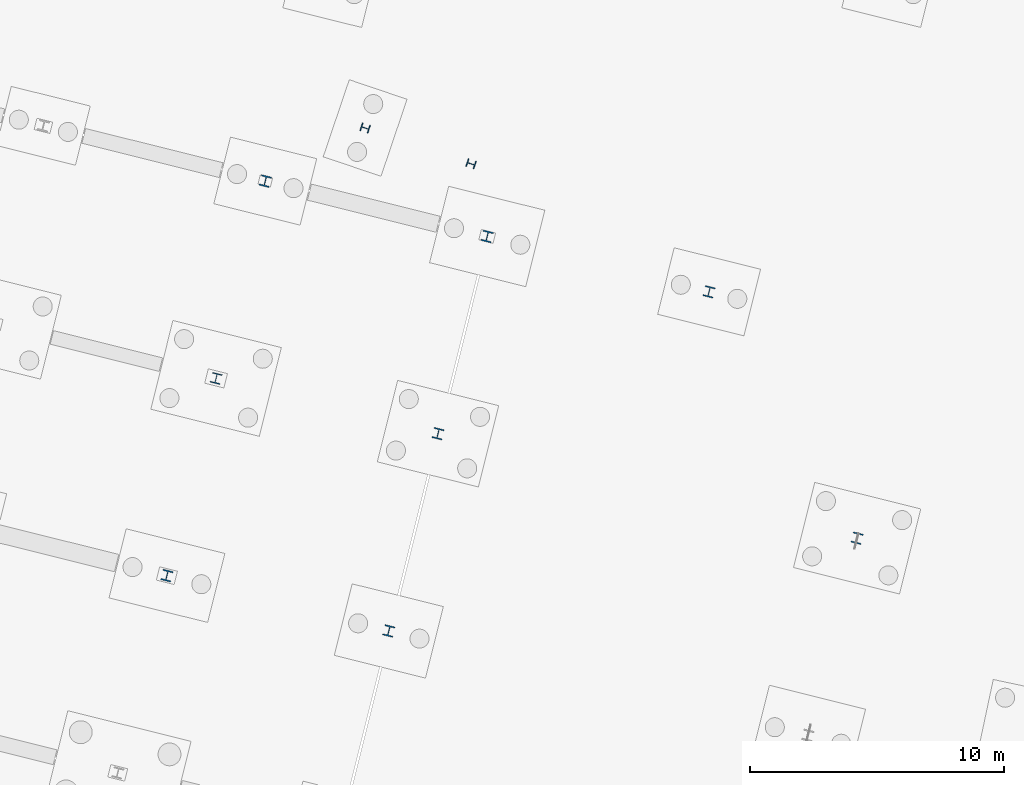
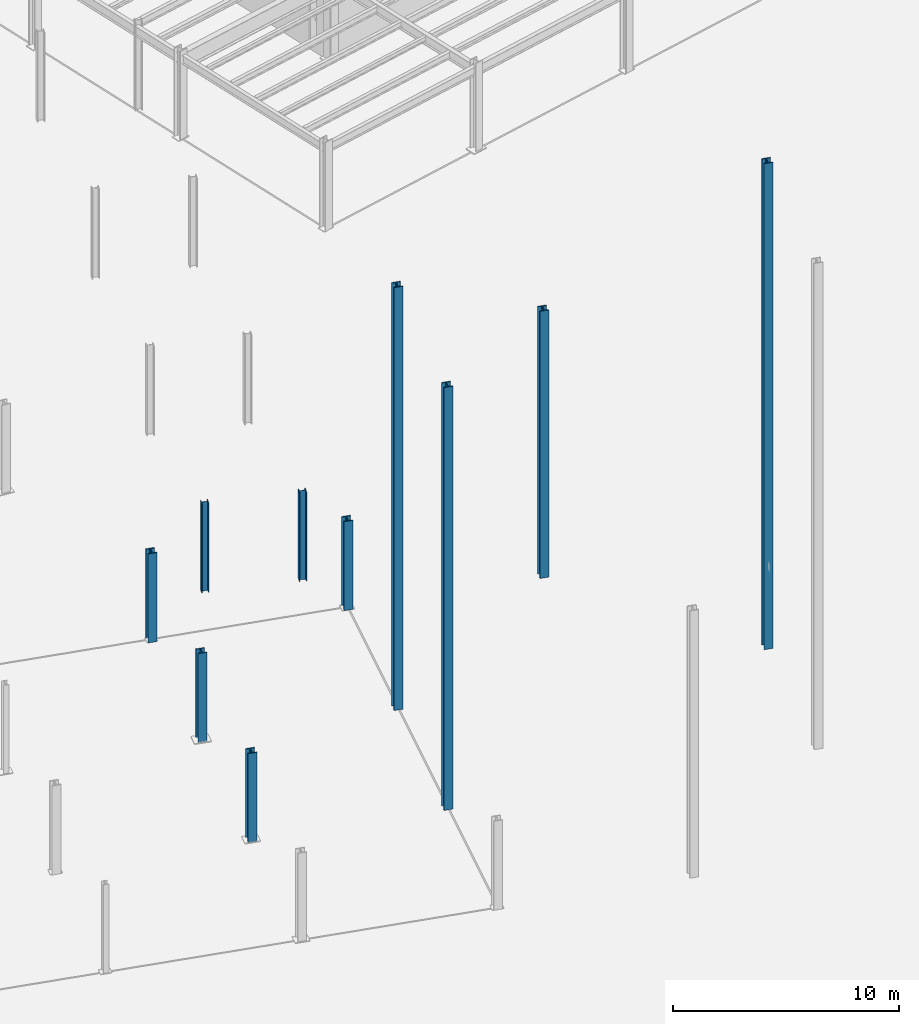
# One storey, part 18 of 108: 10 columns.
"""IFC4 building model written with IfcOpenShell, lengths in metres."""

from ifc_helpers import new_model, si_unit, direction, frame, origin, origin_2d, place, context, subcontext, project, spatial, i_section, extrude, material, material_profile, profile_set, type_object, element, save


model = new_model("IFC4")

# Units and contexts
model_context = context("Model", 3, precision=1e-05, world=origin(), true_north=direction((0.0, 1.0)))
body_context = subcontext(model_context, "Body", "Model", "MODEL_VIEW")
ifc_project = project(units=[si_unit("LENGTHUNIT", "METRE"), si_unit("AREAUNIT", "SQUARE_METRE"), si_unit("VOLUMEUNIT", "CUBIC_METRE"), si_unit("PLANEANGLEUNIT", "RADIAN"), si_unit("MASSUNIT", "GRAM", prefix="KILO")], contexts=[model_context])

# Site, building, storey
site_placement = place(None, origin())
site = spatial("IfcSite", under=ifc_project, at=site_placement, CompositionType="ELEMENT")
building_placement = place(site_placement, origin())
building = spatial("IfcBuilding", under=site, at=building_placement, Name="Vireo Bluff Cable Station", CompositionType="ELEMENT")
storey_placement = place(building_placement, origin())
storey = spatial("IfcBuildingStorey", under=building, at=storey_placement, Name="L00", CompositionType="ELEMENT", Elevation=0.0)

# Columns
ifc_material = material(Name="Steel ASTM A992 Gr. 50", Category="steel")
ifc_material_profile_1 = material_profile(ifc_material, i_section(OverallWidth=0.408935546875, OverallDepth=0.424072265625, WebThickness=0.03271484375, FlangeThickness=0.052490234375, FilletRadius=0.014892578125, at=origin_2d()), Name="W14X283")
ifc_profile_set_1 = profile_set([ifc_material_profile_1], Name="Steel ASTM A992 Gr. 50")
column_type_1 = type_object("IfcColumnType", Name="COL-W14X283", PredefinedType="COLUMN", material=ifc_profile_set_1)
for number, where, z_axis, x_axis, name in (
    (1, (99.5986328125, 34.8759765625, 0.0), (0.0, 0.0, 1.0), (0.970295726276, -0.2419218956, 0.0), "V1 L00 column 102"),
    (2, (103.469482421875, 50.400634765625, 0.0), (0.0, 0.0, 1.0), (0.970295726276, -0.2419218956, 0.0), "V1 L00 column 108"),
    (3, (112.2021484375, 48.223388671875, 0.0), (0.0, 0.0, 1.0), (0.970295726276, -0.2419218956, 0.0), "V1 L00 column 118"),
):
    element("IfcColumn", number, at=place(storey_placement, frame(where, z_axis=z_axis, x_axis=x_axis)), inside=storey, type_object=column_type_1, Name=name, PredefinedType="COLUMN", context=body_context, shape_type="SweptSolid", body=[
        extrude(i_section(OverallWidth=0.408935546875, OverallDepth=0.424072265625, WebThickness=0.03271484375, FlangeThickness=0.052490234375, FilletRadius=0.014892578125, at=origin_2d()), origin(), (0.0, 0.0, 1.0), 4.800048828125),
    ])
ifc_material_profile_2 = material_profile(ifc_material, i_section(OverallWidth=0.31298828125, OverallDepth=0.3330078125, WebThickness=0.01806640625, FlangeThickness=0.028076171875, FilletRadius=0.012939453125, at=origin_2d()), Name="W12X120")
ifc_profile_set_2 = profile_set([ifc_material_profile_2], Name="Steel ASTM A992 Gr. 50")
column_type_2 = type_object("IfcColumnType", Name="ECOL-W12X120", PredefinedType="COLUMN", material=ifc_profile_set_2)
for number, where, z_axis, x_axis, name in (
    (4, (111.5673828125, 51.08203125, 0.0), (0.0, 0.0, 1.0), (0.32035190998, 0.947298608556, 0.0), "HAUL-DRIVE skybridge column 1L L00"),
    (5, (107.3994140625, 52.49169921875, 0.0), (0.0, 0.0, 1.0), (0.32035190998, 0.947298608556, 0.0), "HAUL-DRIVE skybridge column 1R L00"),
):
    element("IfcColumn", number, at=place(storey_placement, frame(where, z_axis=z_axis, x_axis=x_axis)), inside=storey, type_object=column_type_2, Name=name, PredefinedType="COLUMN", context=body_context, shape_type="SweptSolid", body=[
        extrude(i_section(OverallWidth=0.31298828125, OverallDepth=0.3330078125, WebThickness=0.01806640625, FlangeThickness=0.028076171875, FilletRadius=0.012939453125, at=origin_2d()), origin(), (0.0, 0.0, 1.0), 4.800048828125),
    ])
ifc_material_profile_3 = material_profile(ifc_material, i_section(OverallWidth=0.40087890625, OverallDepth=0.39892578125, WebThickness=0.02490234375, FlangeThickness=0.03955078125, FilletRadius=0.014892578125, at=origin_2d()), Name="W14X211")
ifc_profile_set_3 = profile_set([ifc_material_profile_3], Name="Steel ASTM A992 Gr. 50")
column_type_3 = type_object("IfcColumnType", Name="ECOL-W14X211", PredefinedType="COLUMN", material=ifc_profile_set_3)
column_1_placement = place(storey_placement, frame((101.5341796875, 42.63818359375, 0.0), z_axis=(0.0, 0.0, 1.0), x_axis=(0.970295726276, -0.2419218956, 0.0)))
element("IfcColumn", 6, at=column_1_placement, inside=storey, type_object=column_type_3, Name="V1 L00 column 105", PredefinedType="COLUMN", context=body_context, shape_type="SweptSolid", body=[
    extrude(i_section(OverallWidth=0.40087890625, OverallDepth=0.39892578125, WebThickness=0.02490234375, FlangeThickness=0.03955078125, FilletRadius=0.014892578125, at=origin_2d()), origin(), (0.0, 0.0, 1.0), 4.800048828125),
])
ifc_material_profile_4 = material_profile(ifc_material, i_section(OverallWidth=0.406005859375, OverallDepth=0.4169921875, WebThickness=0.02978515625, FlangeThickness=0.048095703125, FilletRadius=0.014892578125, at=origin_2d()), Name="W14X257")
ifc_profile_set_4 = profile_set([ifc_material_profile_4], Name="Steel ASTM A992 Gr. 50")
column_type_4 = type_object("IfcColumnType", Name="ECOL-W14X257", PredefinedType="COLUMN", material=ifc_profile_set_4)
column_2_placement = place(storey_placement, frame((120.934814453125, 46.0458984375, 0.0), z_axis=(0.0, 0.0, 1.0), x_axis=(0.970295726276, -0.2419218956, 0.0)))
element("IfcColumn", 7, at=column_2_placement, inside=storey, type_object=column_type_4, Name="Cableway departure portal pier 2", PredefinedType="COLUMN", context=body_context, shape_type="SweptSolid", body=[
    extrude(i_section(OverallWidth=0.406005859375, OverallDepth=0.4169921875, WebThickness=0.02978515625, FlangeThickness=0.048095703125, FilletRadius=0.014892578125, at=origin_2d()), origin(), (0.0, 0.0, 1.0), 14.39990234375),
])
for number, where, z_axis, x_axis, name in (
    (8, (108.331298828125, 32.698486328125, 0.0), (0.0, 0.0, 1.0), (0.970295726276, -0.2419218956, 0.0), "Aerial line portal track stanchion 1"),
    (9, (110.2666015625, 40.4609375, 0.0), (0.0, 0.0, 1.0), (0.970295726276, -0.2419218956, 0.0), "Aerial line portal track stanchion 2"),
):
    element("IfcColumn", number, at=place(storey_placement, frame(where, z_axis=z_axis, x_axis=x_axis)), inside=storey, type_object=column_type_4, Name=name, PredefinedType="COLUMN", context=body_context, shape_type="SweptSolid", body=[
        extrude(i_section(OverallWidth=0.406005859375, OverallDepth=0.4169921875, WebThickness=0.02978515625, FlangeThickness=0.048095703125, FilletRadius=0.014892578125, at=origin_2d()), origin(), (0.0, 0.0, 1.0), 22.800048828125),
    ])
column_3_placement = place(storey_placement, frame((126.76171875, 36.348388671875, 0.0), z_axis=(0.0, 0.0, 1.0), x_axis=(0.970295726276, -0.2419218956, 0.0)))
element("IfcColumn", 10, at=column_3_placement, inside=storey, type_object=column_type_4, Name="Aerial line launch pylon 2", PredefinedType="COLUMN", context=body_context, shape_type="SweptSolid", body=[
    extrude(i_section(OverallWidth=0.406005859375, OverallDepth=0.4169921875, WebThickness=0.02978515625, FlangeThickness=0.048095703125, FilletRadius=0.014892578125, at=origin_2d()), origin(), (0.0, 0.0, 1.0), 26.199951171875),
])

save(model, "model.ifc")
